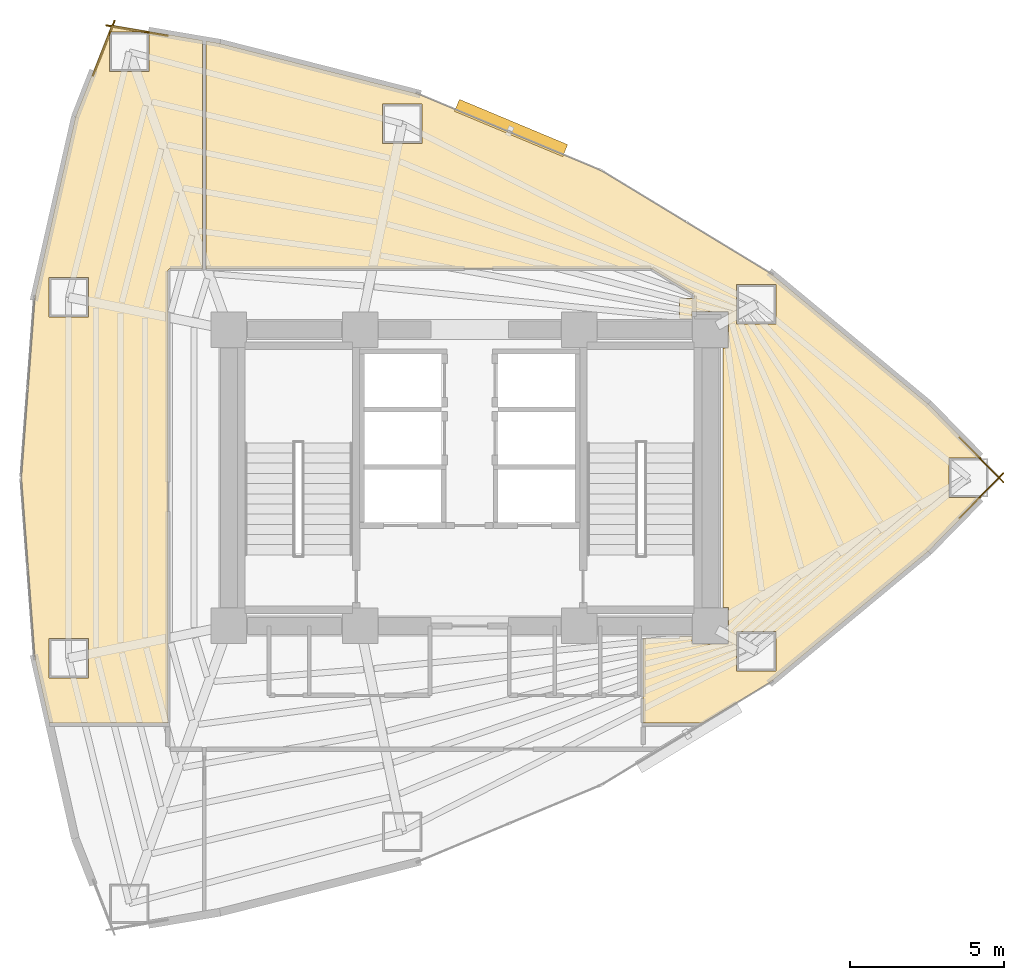
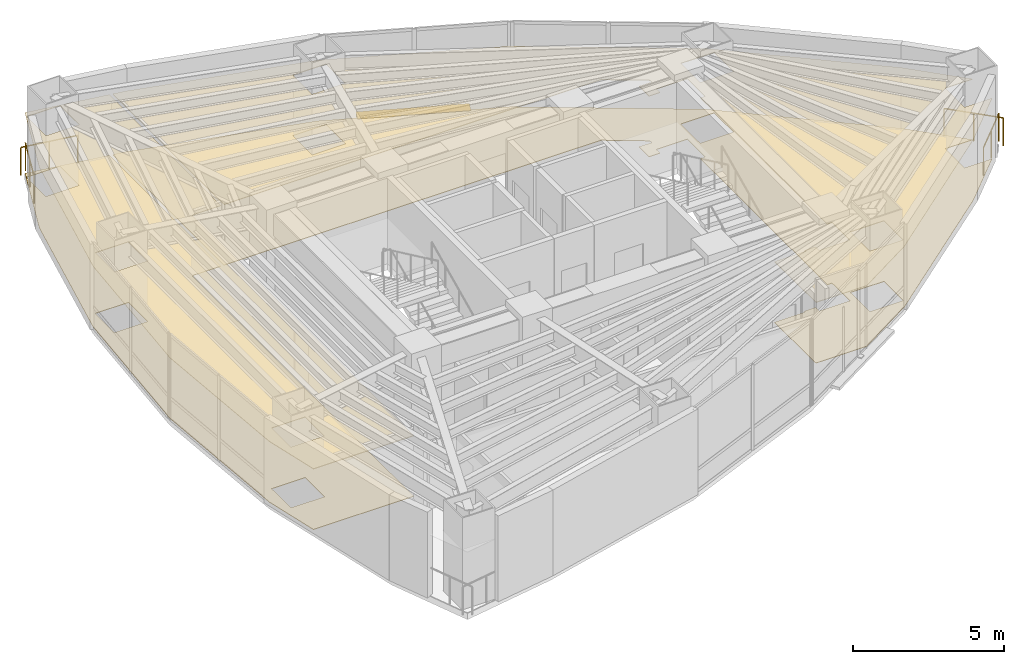
# One storey, part 18 of 18: 4 coverings, 4 railings, 1 shading device.
"""IFC4 building model written with IfcOpenShell, lengths in metres."""

from ifc_helpers import new_model, si_unit, direction, frame, origin, origin_2d, place, context, subcontext, project, spatial, polyline, rectangle, circle, outline, extrude, material, layer, layer_set, type_object, element, save


model = new_model("IFC4")

# Units and contexts
model_context = context("Model", 3, precision=1e-05, world=origin(), true_north=direction((0.0, 1.0)))
body_context = subcontext(model_context, "Body", "Model", "MODEL_VIEW")
ifc_project = project(units=[si_unit("LENGTHUNIT", "METRE"), si_unit("AREAUNIT", "SQUARE_METRE"), si_unit("VOLUMEUNIT", "CUBIC_METRE"), si_unit("PLANEANGLEUNIT", "RADIAN"), si_unit("MASSUNIT", "GRAM", prefix="KILO")], contexts=[model_context])

# Site, building, storey
site_placement = place(None, origin())
site = spatial("IfcSite", under=ifc_project, at=site_placement, CompositionType="ELEMENT")
building_placement = place(site_placement, origin())
building = spatial("IfcBuilding", under=site, at=building_placement, Name="Menara Vayukalpa", CompositionType="ELEMENT")
storey_placement = place(building_placement, frame((0.0, 0.0, 96.5400390625)))
storey = spatial("IfcBuildingStorey", under=building, at=storey_placement, Name="L23", CompositionType="ELEMENT", Elevation=96.5400390625)

# Coverings
ifc_material_1 = material(Name="Mineral Fibre Acoustic Ceiling Tile", Category="masonry")
ifc_layer_1 = layer(ifc_material_1, 0.02490234375)
ifc_layer_set_1 = layer_set([ifc_layer_1], Name="Mineral Fibre Acoustic Ceiling Tile")
covering_type_1 = type_object("IfcCoveringType", Name="COV-CLG1", PredefinedType="CEILING", material=ifc_layer_set_1)
covering_1_placement = place(storey_placement, frame((0.0, 0.0, 2.449951171875)))
element("IfcCovering", 1, at=covering_1_placement, inside=storey, type_object=covering_type_1, Name="L23 Corporate Training Classroom Acoustic Ceiling", PredefinedType="CEILING", context=body_context, shape_type="SweptSolid", body=[
    extrude(outline(polyline([(32.81005859375, 16.85009765625), (32.81005859375, 16.610107421875), (33.989990234375, 16.610107421875), (33.989990234375, 17.7900390625), (33.81005859375, 17.7900390625), (33.81005859375, 26.2099609375), (33.989990234375, 26.2099609375), (33.989990234375, 27.389892578125), (32.81005859375, 27.389892578125), (32.81005859375, 27.14990234375), (32.389892578125, 27.14990234375), (32.389892578125, 27.81005859375), (32.8701171875, 27.81005859375), (32.8701171875, 27.89111328125), (32.86962890625, 27.8984375), (32.868408203125, 27.905517578125), (32.86669921875, 27.912353515625), (32.8642578125, 27.919189453125), (32.861083984375, 27.925537109375), (32.857177734375, 27.931640625), (32.852783203125, 27.937255859375), (32.847900390625, 27.9423828125), (32.84228515625, 27.947021484375), (32.836181640625, 27.951171875), (31.505126953125, 28.759765625), (31.49951171875, 28.762939453125), (31.49365234375, 28.765380859375), (31.487548828125, 28.767333984375), (31.481201171875, 28.768798828125), (31.47509765625, 28.769775390625), (31.468505859375, 28.77001953125), (17.070068359375, 28.77001953125), (17.069091796875, 28.77001953125), (17.068115234375, 28.770263671875), (17.067138671875, 28.7705078125), (17.066162109375, 28.770751953125), (17.065185546875, 28.771240234375), (17.064453125, 28.771728515625), (17.063720703125, 28.772216796875), (17.06298828125, 28.77294921875), (17.062255859375, 28.773681640625), (17.061767578125, 28.7744140625), (17.061279296875, 28.775390625), (17.060791015625, 28.776123046875), (17.060302734375, 28.777099609375), (17.060302734375, 28.778076171875), (17.06005859375, 28.779052734375), (17.06005859375, 28.780029296875), (17.06005859375, 36.133544921875), (17.06005859375, 36.134521484375), (17.060302734375, 36.135498046875), (17.060302734375, 36.136474609375), (17.060791015625, 36.137451171875), (17.06103515625, 36.13818359375), (17.0615234375, 36.13916015625), (17.062255859375, 36.139892578125), (17.062744140625, 36.140625), (17.0634765625, 36.14111328125), (17.064208984375, 36.141845703125), (17.065185546875, 36.142333984375), (17.06591796875, 36.142822265625), (17.06689453125, 36.14306640625), (17.06787109375, 36.143310546875), (17.06884765625, 36.1435546875), (17.06982421875, 36.1435546875), (17.07080078125, 36.1435546875), (17.07177734375, 36.1435546875), (17.5078125, 36.0693359375), (17.5087890625, 36.069091796875), (23.903564453125, 34.438232421875), (23.90478515625, 34.437744140625), (29.860595703125, 31.946533203125), (29.861328125, 31.9462890625), (29.862060546875, 31.94580078125), (35.379638671875, 28.593994140625), (35.380859375, 28.59326171875), (40.46044921875, 24.380615234375), (40.461181640625, 24.3798828125), (42.169677734375, 22.639892578125), (41.121826171875, 22.639892578125), (41.121826171875, 21.360107421875), (42.169677734375, 21.360107421875), (40.461181640625, 19.6201171875), (40.46044921875, 19.619384765625), (35.380859375, 15.40673828125), (35.379638671875, 15.406005859375), (33.1474609375, 14.050048828125), (33.146484375, 14.049560546875), (33.1455078125, 14.049072265625), (33.144775390625, 14.048828125), (33.143798828125, 14.048583984375), (33.142822265625, 14.048583984375), (33.141845703125, 14.048583984375), (33.140869140625, 14.048583984375), (33.139892578125, 14.048828125), (33.138916015625, 14.049072265625), (33.137939453125, 14.04931640625), (33.13720703125, 14.0498046875), (33.132080078125, 14.052978515625), (33.126708984375, 14.055419921875), (33.12109375, 14.057373046875), (33.115478515625, 14.058837890625), (33.109619140625, 14.059814453125), (33.103515625, 14.06005859375), (31.22998046875, 14.06005859375), (31.22900390625, 14.06005859375), (31.22802734375, 14.060302734375), (31.22705078125, 14.060302734375), (31.226318359375, 14.060791015625), (31.225341796875, 14.061279296875), (31.224365234375, 14.061767578125), (31.2236328125, 14.062255859375), (31.222900390625, 14.06298828125), (31.222412109375, 14.063720703125), (31.2216796875, 14.064453125), (31.22119140625, 14.065185546875), (31.220703125, 14.066162109375), (31.220458984375, 14.067138671875), (31.22021484375, 14.068115234375), (31.219970703125, 14.069091796875), (31.219970703125, 14.070068359375), (31.219970703125, 14.849609375), (31.219482421875, 14.856689453125), (31.21875, 14.86376953125), (31.217041015625, 14.870361328125), (31.214599609375, 14.876708984375), (31.2119140625, 14.8828125), (31.211669921875, 14.883056640625), (31.211181640625, 14.8837890625), (31.210693359375, 14.884765625), (31.21044921875, 14.8857421875), (31.210205078125, 14.88671875), (31.2099609375, 14.8876953125), (31.2099609375, 14.888671875), (31.2099609375, 16.780029296875), (31.2099609375, 16.781005859375), (31.210205078125, 16.781982421875), (31.21044921875, 16.782958984375), (31.210693359375, 16.78369140625), (31.211181640625, 16.78466796875), (31.211669921875, 16.78564453125), (31.21240234375, 16.786376953125), (31.212890625, 16.787109375), (31.213623046875, 16.78759765625), (31.21435546875, 16.788330078125), (31.21533203125, 16.788818359375), (31.21630859375, 16.789306640625), (31.217041015625, 16.78955078125), (31.218017578125, 16.789794921875), (31.218994140625, 16.7900390625), (31.219970703125, 16.7900390625), (32.389892578125, 16.7900390625), (32.389892578125, 16.85009765625), (32.81005859375, 16.85009765625)]), holes=[polyline([(35.52685546875, 17.018310546875), (34.246826171875, 17.018310546875), (34.246826171875, 15.73828125), (35.52685546875, 15.73828125), (35.52685546875, 17.018310546875)]), polyline([(35.52685546875, 26.981689453125), (35.52685546875, 28.26171875), (34.246826171875, 28.26171875), (34.246826171875, 26.981689453125), (35.52685546875, 26.981689453125)]), polyline([(24.048095703125, 32.827392578125), (24.048095703125, 34.107421875), (22.768310546875, 34.107421875), (22.768310546875, 32.827392578125), (24.048095703125, 32.827392578125)])]), origin(), (0.0, 0.0, 1.0), 0.02490234375),
])
covering_2_placement = place(storey_placement, frame((0.0, 0.0, 2.449951171875)))
element("IfcCovering", 2, at=covering_2_placement, inside=storey, type_object=covering_type_1, Name="L23 Staff Dining and Pantry Acoustic Ceiling", PredefinedType="CEILING", context=body_context, shape_type="SweptSolid", body=[
    extrude(outline(polyline([(11.078369140625, 22.0), (11.078369140625, 22.000732421875), (11.516357421875, 27.843505859375), (11.5166015625, 27.844970703125), (12.831298828125, 33.687744140625), (12.83154296875, 33.6884765625), (12.831787109375, 33.689208984375), (13.997314453125, 36.6572265625), (13.997802734375, 36.658203125), (13.998291015625, 36.658935546875), (13.998779296875, 36.659912109375), (13.99951171875, 36.660400390625), (14.000244140625, 36.6611328125), (14.0009765625, 36.661865234375), (14.001708984375, 36.662353515625), (14.002685546875, 36.66259765625), (14.003662109375, 36.6630859375), (14.00439453125, 36.663330078125), (14.005615234375, 36.66357421875), (14.00634765625, 36.66357421875), (14.00732421875, 36.66357421875), (14.00830078125, 36.66357421875), (16.931640625, 36.167236328125), (16.9326171875, 36.1669921875), (16.93359375, 36.16650390625), (16.9345703125, 36.166259765625), (16.935302734375, 36.165771484375), (16.936279296875, 36.1650390625), (16.93701171875, 36.16455078125), (16.9375, 36.163818359375), (16.938232421875, 36.1630859375), (16.938720703125, 36.162109375), (16.939208984375, 36.1611328125), (16.939697265625, 36.160400390625), (16.939697265625, 36.1591796875), (16.93994140625, 36.158203125), (16.93994140625, 36.1572265625), (16.93994140625, 28.780029296875), (16.93994140625, 28.779052734375), (16.939697265625, 28.778076171875), (16.939697265625, 28.777099609375), (16.939208984375, 28.776123046875), (16.938720703125, 28.775390625), (16.938232421875, 28.7744140625), (16.937744140625, 28.773681640625), (16.93701171875, 28.77294921875), (16.936279296875, 28.772216796875), (16.935546875, 28.771728515625), (16.934814453125, 28.771240234375), (16.933837890625, 28.770751953125), (16.932861328125, 28.7705078125), (16.931884765625, 28.770263671875), (16.930908203125, 28.77001953125), (16.929931640625, 28.77001953125), (15.900390625, 28.77001953125), (15.893310546875, 28.76953125), (15.88623046875, 28.768798828125), (15.879638671875, 28.76708984375), (15.873291015625, 28.7646484375), (15.866943359375, 28.76171875), (15.861083984375, 28.75830078125), (15.85546875, 28.75390625), (15.8505859375, 28.74951171875), (15.845947265625, 28.744384765625), (15.841796875, 28.73876953125), (15.838134765625, 28.73291015625), (15.835205078125, 28.726806640625), (15.8330078125, 28.72021484375), (15.831298828125, 28.713623046875), (15.830322265625, 28.706787109375), (15.830078125, 28.69970703125), (15.830078125, 14.070068359375), (15.830078125, 14.069091796875), (15.829833984375, 14.068115234375), (15.82958984375, 14.067138671875), (15.8291015625, 14.066162109375), (15.828857421875, 14.065185546875), (15.828369140625, 14.064453125), (15.82763671875, 14.063720703125), (15.8271484375, 14.06298828125), (15.826416015625, 14.062255859375), (15.82568359375, 14.061767578125), (15.82470703125, 14.061279296875), (15.82373046875, 14.060791015625), (15.822998046875, 14.060302734375), (15.822021484375, 14.060302734375), (15.821044921875, 14.06005859375), (15.820068359375, 14.06005859375), (11.99609375, 14.06005859375), (11.9951171875, 14.06005859375), (11.994140625, 14.060302734375), (11.9931640625, 14.060302734375), (11.9921875, 14.060791015625), (11.991455078125, 14.06103515625), (11.990478515625, 14.0615234375), (11.989990234375, 14.062255859375), (11.989013671875, 14.062744140625), (11.988525390625, 14.0634765625), (11.98779296875, 14.064208984375), (11.9873046875, 14.065185546875), (11.98681640625, 14.06591796875), (11.986572265625, 14.06689453125), (11.986328125, 14.06787109375), (11.5166015625, 16.155029296875), (11.516357421875, 16.156494140625), (11.078369140625, 21.999267578125), (11.078369140625, 22.0)]), holes=[polyline([(13.24658203125, 16.794189453125), (11.966552734375, 16.794189453125), (11.966552734375, 15.514404296875), (13.24658203125, 15.514404296875), (13.24658203125, 16.794189453125)]), polyline([(13.24658203125, 28.485595703125), (11.966552734375, 28.485595703125), (11.966552734375, 27.205810546875), (13.24658203125, 27.205810546875), (13.24658203125, 28.485595703125)]), polyline([(15.208984375, 36.4375), (13.92919921875, 36.4375), (13.92919921875, 35.157470703125), (15.208984375, 35.157470703125), (15.208984375, 36.4375)])]), origin(), (0.0, 0.0, 1.0), 0.02490234375),
])
ifc_material_2 = material(Name="Porcelain Stoneware Floor Tile", Category="masonry")
ifc_layer_2 = layer(ifc_material_2, 0.02001953125)
ifc_layer_set_2 = layer_set([ifc_layer_2], Name="Porcelain Stoneware Floor Tile")
covering_type_2 = type_object("IfcCoveringType", Name="COV-FLR1", PredefinedType="FLOORING", material=ifc_layer_set_2)
covering_3_placement = place(storey_placement, origin())
element("IfcCovering", 3, at=covering_3_placement, inside=storey, type_object=covering_type_2, Name="L23 Corporate Training Classroom Porcelain Flooring", PredefinedType="FLOORING", context=body_context, shape_type="SweptSolid", body=[
    extrude(outline(polyline([(32.81005859375, 16.85009765625), (32.81005859375, 16.610107421875), (33.989990234375, 16.610107421875), (33.989990234375, 17.7900390625), (33.81005859375, 17.7900390625), (33.81005859375, 26.2099609375), (33.989990234375, 26.2099609375), (33.989990234375, 27.389892578125), (32.81005859375, 27.389892578125), (32.81005859375, 27.14990234375), (32.389892578125, 27.14990234375), (32.389892578125, 27.81005859375), (32.8701171875, 27.81005859375), (32.8701171875, 27.89111328125), (32.86962890625, 27.8984375), (32.868408203125, 27.905517578125), (32.86669921875, 27.912353515625), (32.8642578125, 27.919189453125), (32.861083984375, 27.925537109375), (32.857177734375, 27.931640625), (32.852783203125, 27.937255859375), (32.847900390625, 27.9423828125), (32.84228515625, 27.947021484375), (32.836181640625, 27.951171875), (31.505126953125, 28.759765625), (31.49951171875, 28.762939453125), (31.49365234375, 28.765380859375), (31.487548828125, 28.767333984375), (31.481201171875, 28.768798828125), (31.47509765625, 28.769775390625), (31.468505859375, 28.77001953125), (17.070068359375, 28.77001953125), (17.069091796875, 28.77001953125), (17.068115234375, 28.770263671875), (17.067138671875, 28.7705078125), (17.066162109375, 28.770751953125), (17.065185546875, 28.771240234375), (17.064453125, 28.771728515625), (17.063720703125, 28.772216796875), (17.06298828125, 28.77294921875), (17.062255859375, 28.773681640625), (17.061767578125, 28.7744140625), (17.061279296875, 28.775390625), (17.060791015625, 28.776123046875), (17.060302734375, 28.777099609375), (17.060302734375, 28.778076171875), (17.06005859375, 28.779052734375), (17.06005859375, 28.780029296875), (17.06005859375, 36.133544921875), (17.06005859375, 36.134521484375), (17.060302734375, 36.135498046875), (17.060302734375, 36.136474609375), (17.060791015625, 36.137451171875), (17.06103515625, 36.13818359375), (17.0615234375, 36.13916015625), (17.062255859375, 36.139892578125), (17.062744140625, 36.140625), (17.0634765625, 36.14111328125), (17.064208984375, 36.141845703125), (17.065185546875, 36.142333984375), (17.06591796875, 36.142822265625), (17.06689453125, 36.14306640625), (17.06787109375, 36.143310546875), (17.06884765625, 36.1435546875), (17.06982421875, 36.1435546875), (17.07080078125, 36.1435546875), (17.07177734375, 36.1435546875), (17.5078125, 36.0693359375), (17.5087890625, 36.069091796875), (23.903564453125, 34.438232421875), (23.90478515625, 34.437744140625), (29.860595703125, 31.946533203125), (29.861328125, 31.9462890625), (29.862060546875, 31.94580078125), (35.379638671875, 28.593994140625), (35.380859375, 28.59326171875), (40.46044921875, 24.380615234375), (40.461181640625, 24.3798828125), (42.169677734375, 22.639892578125), (41.121826171875, 22.639892578125), (41.121826171875, 21.360107421875), (42.169677734375, 21.360107421875), (40.461181640625, 19.6201171875), (40.46044921875, 19.619384765625), (35.380859375, 15.40673828125), (35.379638671875, 15.406005859375), (33.1474609375, 14.050048828125), (33.146484375, 14.049560546875), (33.1455078125, 14.049072265625), (33.144775390625, 14.048828125), (33.143798828125, 14.048583984375), (33.142822265625, 14.048583984375), (33.141845703125, 14.048583984375), (33.140869140625, 14.048583984375), (33.139892578125, 14.048828125), (33.138916015625, 14.049072265625), (33.137939453125, 14.04931640625), (33.13720703125, 14.0498046875), (33.132080078125, 14.052978515625), (33.126708984375, 14.055419921875), (33.12109375, 14.057373046875), (33.115478515625, 14.058837890625), (33.109619140625, 14.059814453125), (33.103515625, 14.06005859375), (31.22998046875, 14.06005859375), (31.22900390625, 14.06005859375), (31.22802734375, 14.060302734375), (31.22705078125, 14.060302734375), (31.226318359375, 14.060791015625), (31.225341796875, 14.061279296875), (31.224365234375, 14.061767578125), (31.2236328125, 14.062255859375), (31.222900390625, 14.06298828125), (31.222412109375, 14.063720703125), (31.2216796875, 14.064453125), (31.22119140625, 14.065185546875), (31.220703125, 14.066162109375), (31.220458984375, 14.067138671875), (31.22021484375, 14.068115234375), (31.219970703125, 14.069091796875), (31.219970703125, 14.070068359375), (31.219970703125, 14.849609375), (31.219482421875, 14.856689453125), (31.21875, 14.86376953125), (31.217041015625, 14.870361328125), (31.214599609375, 14.876708984375), (31.2119140625, 14.8828125), (31.211669921875, 14.883056640625), (31.211181640625, 14.8837890625), (31.210693359375, 14.884765625), (31.21044921875, 14.8857421875), (31.210205078125, 14.88671875), (31.2099609375, 14.8876953125), (31.2099609375, 14.888671875), (31.2099609375, 16.780029296875), (31.2099609375, 16.781005859375), (31.210205078125, 16.781982421875), (31.21044921875, 16.782958984375), (31.210693359375, 16.78369140625), (31.211181640625, 16.78466796875), (31.211669921875, 16.78564453125), (31.21240234375, 16.786376953125), (31.212890625, 16.787109375), (31.213623046875, 16.78759765625), (31.21435546875, 16.788330078125), (31.21533203125, 16.788818359375), (31.21630859375, 16.789306640625), (31.217041015625, 16.78955078125), (31.218017578125, 16.789794921875), (31.218994140625, 16.7900390625), (31.219970703125, 16.7900390625), (32.389892578125, 16.7900390625), (32.389892578125, 16.85009765625), (32.81005859375, 16.85009765625)]), holes=[polyline([(35.52685546875, 17.018310546875), (34.246826171875, 17.018310546875), (34.246826171875, 15.73828125), (35.52685546875, 15.73828125), (35.52685546875, 17.018310546875)]), polyline([(35.52685546875, 26.981689453125), (35.52685546875, 28.26171875), (34.246826171875, 28.26171875), (34.246826171875, 26.981689453125), (35.52685546875, 26.981689453125)]), polyline([(24.048095703125, 32.827392578125), (24.048095703125, 34.107421875), (22.768310546875, 34.107421875), (22.768310546875, 32.827392578125), (24.048095703125, 32.827392578125)])]), origin(), (0.0, 0.0, 1.0), 0.02001953125),
])
covering_4_placement = place(storey_placement, origin())
element("IfcCovering", 4, at=covering_4_placement, inside=storey, type_object=covering_type_2, Name="L23 Staff Dining and Pantry Porcelain Flooring", PredefinedType="FLOORING", context=body_context, shape_type="SweptSolid", body=[
    extrude(outline(polyline([(11.078369140625, 22.0), (11.078369140625, 22.000732421875), (11.516357421875, 27.843505859375), (11.5166015625, 27.844970703125), (12.831298828125, 33.687744140625), (12.83154296875, 33.6884765625), (12.831787109375, 33.689208984375), (13.997314453125, 36.6572265625), (13.997802734375, 36.658203125), (13.998291015625, 36.658935546875), (13.998779296875, 36.659912109375), (13.99951171875, 36.660400390625), (14.000244140625, 36.6611328125), (14.0009765625, 36.661865234375), (14.001708984375, 36.662353515625), (14.002685546875, 36.66259765625), (14.003662109375, 36.6630859375), (14.00439453125, 36.663330078125), (14.005615234375, 36.66357421875), (14.00634765625, 36.66357421875), (14.00732421875, 36.66357421875), (14.00830078125, 36.66357421875), (16.931640625, 36.167236328125), (16.9326171875, 36.1669921875), (16.93359375, 36.16650390625), (16.9345703125, 36.166259765625), (16.935302734375, 36.165771484375), (16.936279296875, 36.1650390625), (16.93701171875, 36.16455078125), (16.9375, 36.163818359375), (16.938232421875, 36.1630859375), (16.938720703125, 36.162109375), (16.939208984375, 36.1611328125), (16.939697265625, 36.160400390625), (16.939697265625, 36.1591796875), (16.93994140625, 36.158203125), (16.93994140625, 36.1572265625), (16.93994140625, 28.780029296875), (16.93994140625, 28.779052734375), (16.939697265625, 28.778076171875), (16.939697265625, 28.777099609375), (16.939208984375, 28.776123046875), (16.938720703125, 28.775390625), (16.938232421875, 28.7744140625), (16.937744140625, 28.773681640625), (16.93701171875, 28.77294921875), (16.936279296875, 28.772216796875), (16.935546875, 28.771728515625), (16.934814453125, 28.771240234375), (16.933837890625, 28.770751953125), (16.932861328125, 28.7705078125), (16.931884765625, 28.770263671875), (16.930908203125, 28.77001953125), (16.929931640625, 28.77001953125), (15.900390625, 28.77001953125), (15.893310546875, 28.76953125), (15.88623046875, 28.768798828125), (15.879638671875, 28.76708984375), (15.873291015625, 28.7646484375), (15.866943359375, 28.76171875), (15.861083984375, 28.75830078125), (15.85546875, 28.75390625), (15.8505859375, 28.74951171875), (15.845947265625, 28.744384765625), (15.841796875, 28.73876953125), (15.838134765625, 28.73291015625), (15.835205078125, 28.726806640625), (15.8330078125, 28.72021484375), (15.831298828125, 28.713623046875), (15.830322265625, 28.706787109375), (15.830078125, 28.69970703125), (15.830078125, 14.070068359375), (15.830078125, 14.069091796875), (15.829833984375, 14.068115234375), (15.82958984375, 14.067138671875), (15.8291015625, 14.066162109375), (15.828857421875, 14.065185546875), (15.828369140625, 14.064453125), (15.82763671875, 14.063720703125), (15.8271484375, 14.06298828125), (15.826416015625, 14.062255859375), (15.82568359375, 14.061767578125), (15.82470703125, 14.061279296875), (15.82373046875, 14.060791015625), (15.822998046875, 14.060302734375), (15.822021484375, 14.060302734375), (15.821044921875, 14.06005859375), (15.820068359375, 14.06005859375), (11.99609375, 14.06005859375), (11.9951171875, 14.06005859375), (11.994140625, 14.060302734375), (11.9931640625, 14.060302734375), (11.9921875, 14.060791015625), (11.991455078125, 14.06103515625), (11.990478515625, 14.0615234375), (11.989990234375, 14.062255859375), (11.989013671875, 14.062744140625), (11.988525390625, 14.0634765625), (11.98779296875, 14.064208984375), (11.9873046875, 14.065185546875), (11.98681640625, 14.06591796875), (11.986572265625, 14.06689453125), (11.986328125, 14.06787109375), (11.5166015625, 16.155029296875), (11.516357421875, 16.156494140625), (11.078369140625, 21.999267578125), (11.078369140625, 22.0)]), holes=[polyline([(13.24658203125, 16.794189453125), (11.966552734375, 16.794189453125), (11.966552734375, 15.514404296875), (13.24658203125, 15.514404296875), (13.24658203125, 16.794189453125)]), polyline([(13.24658203125, 28.485595703125), (11.966552734375, 28.485595703125), (11.966552734375, 27.205810546875), (13.24658203125, 27.205810546875), (13.24658203125, 28.485595703125)]), polyline([(15.208984375, 36.4375), (13.92919921875, 36.4375), (13.92919921875, 35.157470703125), (15.208984375, 35.157470703125), (15.208984375, 36.4375)])]), origin(), (0.0, 0.0, 1.0), 0.02001953125),
])

# Railings
ifc_material_3 = material(Name="Laminated Glass and Stainless Steel 316 Guardrail", Category="steel")
railing_type = type_object("IfcRailingType", Name="RLG-EXT115", PredefinedType="GUARDRAIL", material=ifc_material_3)
railing_1_placement = place(storey_placement, frame((41.458740234375, 20.693115234375, 0.0)))
element("IfcRailing", 5, at=railing_1_placement, inside=storey, type_object=railing_type, Name="L23 Column Corner Spandrel Guardrail 01-1", PredefinedType="GUARDRAIL", context=body_context, shape_type="SweptSolid", body=[
    extrude(circle(Radius=0.02392578125, at=origin_2d()), frame((0.0, 0.0, 1.1259765625), z_axis=(0.700555740742, 0.713597683652, 0.0), x_axis=(-0.713597683652, 0.700555740742, 0.0)), (0.0, 0.0, 1.0), 2.04052734375),
    extrude(circle(Radius=0.02099609375, at=origin_2d()), origin(), (0.0, 0.0, 1.0), 1.101806640625),
    extrude(circle(Radius=0.02099609375, at=origin_2d()), frame((0.71484375, 0.72802734375, 0.0)), (0.0, 0.0, 1.0), 1.101806640625),
    extrude(circle(Radius=0.02099609375, at=origin_2d()), frame((1.429443359375, 1.4560546875, 0.0)), (0.0, 0.0, 1.0), 1.101806640625),
])
railing_2_placement = place(storey_placement, frame((42.88818359375, 21.850830078125, 0.0)))
element("IfcRailing", 6, at=railing_2_placement, inside=storey, type_object=railing_type, Name="L23 Column Corner Spandrel Guardrail 02-1", PredefinedType="GUARDRAIL", context=body_context, shape_type="SweptSolid", body=[
    extrude(circle(Radius=0.02392578125, at=origin_2d()), frame((0.0, 0.0, 1.1259765625), z_axis=(-0.700555740742, 0.713597683652, 0.0), x_axis=(-0.713597683652, -0.700555740742, 0.0)), (0.0, 0.0, 1.0), 2.04052734375),
    extrude(circle(Radius=0.02099609375, at=origin_2d()), origin(), (0.0, 0.0, 1.0), 1.101806640625),
    extrude(circle(Radius=0.02099609375, at=origin_2d()), frame((-0.71484375, 0.72802734375, 0.0)), (0.0, 0.0, 1.0), 1.101806640625),
    extrude(circle(Radius=0.02099609375, at=origin_2d()), frame((-1.429443359375, 1.4560546875, 0.0)), (0.0, 0.0, 1.0), 1.101806640625),
])
railing_3_placement = place(storey_placement, frame((15.818359375, 36.315673828125, 0.0)))
element("IfcRailing", 7, at=railing_3_placement, inside=storey, type_object=railing_type, Name="L23 Column Corner Spandrel Guardrail 07-1", PredefinedType="GUARDRAIL", context=body_context, shape_type="SweptSolid", body=[
    extrude(circle(Radius=0.02392578125, at=origin_2d()), frame((0.0, 0.0, 1.1259765625), z_axis=(-0.985895977605, 0.16735925831, 0.0), x_axis=(-0.16735925831, -0.985895977605, 0.0)), (0.0, 0.0, 1.0), 2.01904296875),
    extrude(circle(Radius=0.02099609375, at=origin_2d()), origin(), (0.0, 0.0, 1.0), 1.101806640625),
    extrude(circle(Radius=0.02099609375, at=origin_2d()), frame((-0.9951171875, 0.1689453125, 0.0)), (0.0, 0.0, 1.0), 1.101806640625),
    extrude(circle(Radius=0.02099609375, at=origin_2d()), frame((-1.990478515625, 0.337890625, 0.0)), (0.0, 0.0, 1.0), 1.101806640625),
])
railing_4_placement = place(storey_placement, frame((14.09912109375, 36.806640625, 0.0)))
element("IfcRailing", 8, at=railing_4_placement, inside=storey, type_object=railing_type, Name="L23 Column Corner Spandrel Guardrail 08-1", PredefinedType="GUARDRAIL", context=body_context, shape_type="SweptSolid", body=[
    extrude(circle(Radius=0.02392578125, at=origin_2d()), frame((0.0, 0.0, 1.1259765625), z_axis=(-0.365573386764, -0.930782519652, 0.0), x_axis=(0.930782519652, -0.365573386764, 0.0)), (0.0, 0.0, 1.0), 1.91259765625),
    extrude(circle(Radius=0.02099609375, at=origin_2d()), origin(), (0.0, 0.0, 1.0), 1.101806640625),
    extrude(circle(Radius=0.02099609375, at=origin_2d()), frame((-0.349609375, -0.89013671875, 0.0)), (0.0, 0.0, 1.0), 1.101806640625),
    extrude(circle(Radius=0.02099609375, at=origin_2d()), frame((-0.69921875, -1.7802734375, 0.0)), (0.0, 0.0, 1.0), 1.101806640625),
])

# Shading device
ifc_material_4 = material(Name="Glazed Terracotta Ceramic Baguette Extrusion", Category="masonry")
ifc_layer_3 = layer(ifc_material_4, 0.1201171875)
ifc_layer_set_3 = layer_set([ifc_layer_3], Name="Glazed Terracotta Ceramic Baguette Extrusion")
shading_device_type = type_object("IfcShadingDeviceType", Name="SHD-SS1", PredefinedType="USERDEFINED", material=ifc_layer_set_3)
shading_device_placement = place(storey_placement, frame((26.940673828125, 33.33056640625, -0.10009765625), z_axis=(0.0, 0.0, 1.0), x_axis=(-0.922544824647, 0.385889940938, 0.0)))
element("IfcShadingDevice", 9, at=shading_device_placement, inside=storey, type_object=shading_device_type, Name="L23 Horizontal Terracotta Sunshade Band 05", ObjectType="SUNSHADE", PredefinedType="USERDEFINED", context=body_context, shape_type="SweptSolid", body=[
    extrude(rectangle(XDim=3.800048828125, YDim=0.419921875, at=origin_2d()), origin(), (0.0, 0.0, 1.0), 0.1201171875),
])

save(model, "model.ifc")
